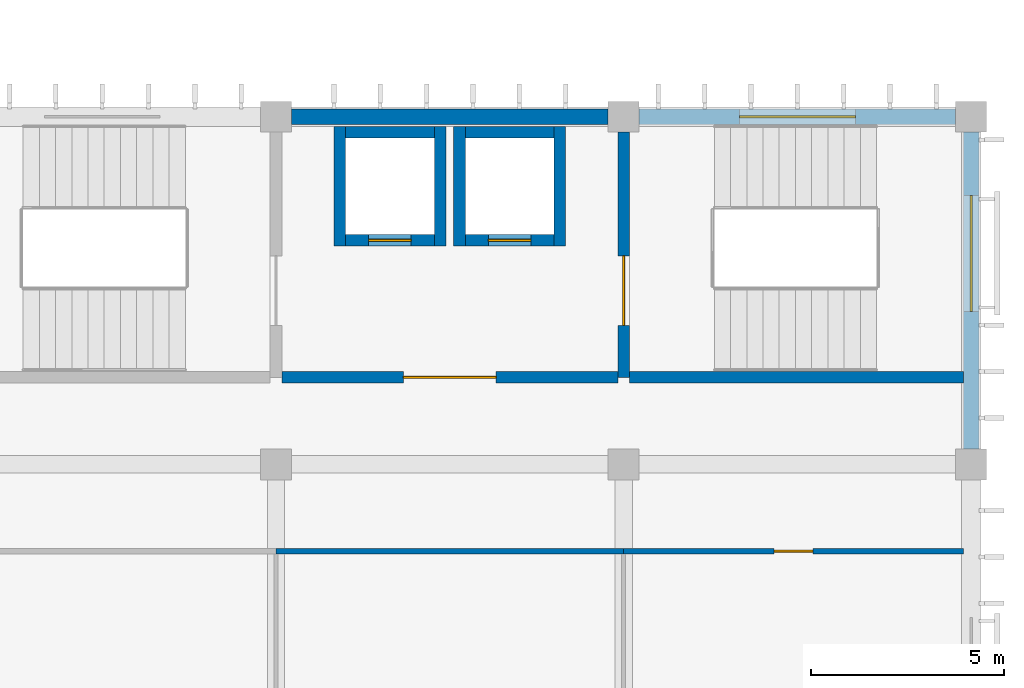
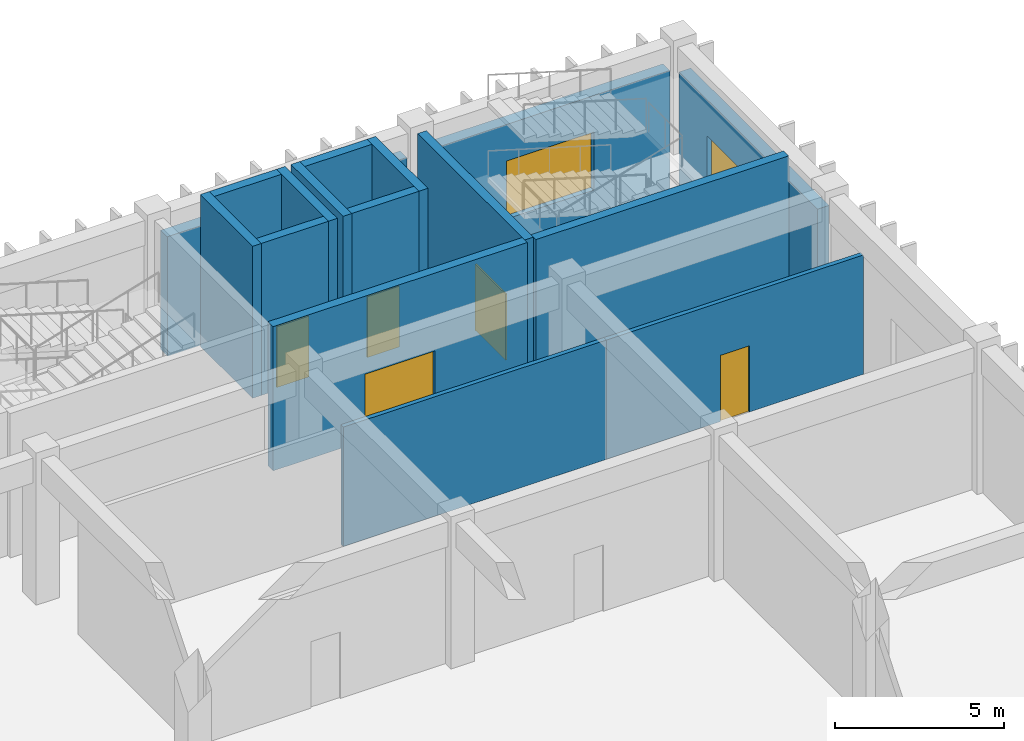
# One storey, part 128 of 185: 16 walls, 5 doors, 2 windows, 7 openings.
"""IFC4 building model written with IfcOpenShell, lengths in metres."""

import ifcopenshell
import ifcopenshell.guid

model = None  # the IFC model being written
_history = None  # IfcOwnerHistory: only IFC2X3 demands one
_inside = {}  # id of a spatial element -> (the spatial element, [elements in it])
_under = {}  # id of a project, library or spatial element -> (it, [spatial elements below it])
_declared = {}  # id of a project -> (the project, [libraries it declares])
_typed = {}  # id of a type object -> (the type object, [elements of that type])
_made_of = {}  # id of a material, layer set ... -> (it, [elements and type objects made of it])


def new_model(schema):
    """Start an empty IFC model of exactly this schema.

    Asked for "IFC4X3", IfcOpenShell would pick the latest addendum, in which some entities
    have other attributes; the version numbers below select the first issue.
    IFC2X3 requires an IfcOwnerHistory on every rooted entity: one is made here for all.
    """
    global model, _history
    if schema == "IFC4X3":
        model = ifcopenshell.file(schema_version=(4, 3, 0, 0))
    else:
        model = ifcopenshell.file(schema=schema)
    _inside.clear()
    _under.clear()
    _declared.clear()
    _typed.clear()
    _made_of.clear()
    _history = None
    if model.schema == "IFC2X3":
        org = make("IfcOrganization", Name="unknown")
        user = make(
            "IfcPersonAndOrganization",
            ThePerson=make("IfcPerson", FamilyName="unknown"),
            TheOrganization=org,
        )
        app = make(
            "IfcApplication",
            ApplicationDeveloper=org,
            Version="unknown",
            ApplicationFullName="unknown",
            ApplicationIdentifier="unknown",
        )
        _history = make(
            "IfcOwnerHistory",
            OwningUser=user,
            OwningApplication=app,
            ChangeAction="ADDED",
            CreationDate=0,
        )
    return model


def make(cls, **values):
    """One entity of the class cls with the attributes given. An attribute that is None is left unset."""
    return model.create_entity(
        cls, **{name: value for name, value in values.items() if value is not None}
    )


def rooted(cls, **values):
    """An entity with a GlobalId (a new one), such as an element, a storey or a relation."""
    return make(cls, GlobalId=ifcopenshell.guid.new(), OwnerHistory=_history, **values)


def si_unit(unit_type, name, prefix=None):
    """IfcSIUnit, for example si_unit("LENGTHUNIT", "METRE", prefix="MILLI")."""
    return make("IfcSIUnit", UnitType=unit_type, Prefix=prefix, Name=name)


def assignment(units):
    """IfcUnitAssignment: the units of a project."""
    return None if units is None else make("IfcUnitAssignment", Units=units)


def point(xyz):
    """IfcCartesianPoint."""
    return None if xyz is None else make("IfcCartesianPoint", Coordinates=xyz)


def direction(xyz):
    """IfcDirection."""
    return None if xyz is None else make("IfcDirection", DirectionRatios=xyz)


def frame(location, z_axis=None, x_axis=None):
    """IfcAxis2Placement3D, a coordinate frame: its origin and axes. An axis left out is left unset."""
    return make(
        "IfcAxis2Placement3D",
        Location=point(location),
        Axis=direction(z_axis),
        RefDirection=direction(x_axis),
    )


def frame_2d(location, x_axis=None):
    """IfcAxis2Placement2D, a coordinate frame in the plane: its origin and x axis."""
    return make(
        "IfcAxis2Placement2D", Location=point(location), RefDirection=direction(x_axis)
    )


def origin():
    """The frame at (0, 0, 0) with its axes left unset."""
    return frame((0.0, 0.0, 0.0))


def place(relative_to, where):
    """IfcLocalPlacement: puts the frame where relative to a parent placement (None: the world)."""
    return make(
        "IfcLocalPlacement", PlacementRelTo=relative_to, RelativePlacement=where
    )


def context(
    kind, dimensions, precision=None, world=None, true_north=None, identifier=None
):
    """IfcGeometricRepresentationContext, for example the 3D "Model" context."""
    return make(
        "IfcGeometricRepresentationContext",
        ContextIdentifier=identifier,
        ContextType=kind,
        CoordinateSpaceDimension=dimensions,
        Precision=precision,
        WorldCoordinateSystem=world,
        TrueNorth=true_north,
    )


def subcontext(parent, identifier, kind, view, scale=None):
    """IfcGeometricRepresentationSubContext, for example "Body" below "Model"."""
    return make(
        "IfcGeometricRepresentationSubContext",
        ContextIdentifier=identifier,
        ContextType=kind,
        ParentContext=parent,
        TargetScale=scale,
        TargetView=view,
    )


def project(units=None, contexts=None):
    """IfcProject with its units and contexts."""
    return rooted(
        "IfcProject",
        Name="project",
        RepresentationContexts=contexts,
        UnitsInContext=assignment(units),
    )


def spatial(cls, under=None, at=None, **own):
    """A site, building, storey or space (cls), placed at a placement, below another one or the project."""
    s = rooted(cls, ObjectPlacement=at, **own)
    if under is not None:
        _under.setdefault(under.id(), (under, []))[1].append(s)
    return s


def profile(cls, at=None, kind="AREA", **sizes):
    """A parametric profile (cls). Its sizes go by their IFC names, for example OverallWidth=200.0."""
    return make(cls, ProfileType=kind, Position=at, **sizes)


def rectangle(**sizes):
    """IfcRectangleProfileDef."""
    return profile("IfcRectangleProfileDef", **sizes)


def extrude(swept, where, along, depth):
    """IfcExtrudedAreaSolid: the profile swept, set in the frame where, extruded along a direction by depth."""
    return make(
        "IfcExtrudedAreaSolid",
        SweptArea=swept,
        Position=where,
        ExtrudedDirection=direction(along),
        Depth=depth,
    )


def shape(context_of_items, identifier, shape_type, items):
    """IfcShapeRepresentation: the items that make up one representation, for example the "Body"."""
    return make(
        "IfcShapeRepresentation",
        ContextOfItems=context_of_items,
        RepresentationIdentifier=identifier,
        RepresentationType=shape_type,
        Items=items,
    )


def material(Name=None, Category=None):
    """IfcMaterial."""
    return make("IfcMaterial", Name=Name, Category=Category)


def layer(
    of_material, thickness, ventilated=None, Name=None, Category=None, Priority=None
):
    """IfcMaterialLayer: one layer of a wall or slab, of a material (None: an air gap)."""
    return make(
        "IfcMaterialLayer",
        Material=of_material,
        LayerThickness=thickness,
        IsVentilated=ventilated,
        Name=Name,
        Category=Category,
        Priority=Priority,
    )


def layer_set(layers, Name=None):
    """IfcMaterialLayerSet."""
    return make("IfcMaterialLayerSet", MaterialLayers=layers, LayerSetName=Name)


def made_of(thing, what):
    """Note that an element or type object is made of a material, layer set ...; save() writes the relation."""
    if what is not None:
        _made_of.setdefault(what.id(), (what, []))[1].append(thing)
    return thing


def type_object(cls, material=None, **own):
    """A type object (cls), such as IfcWallType, which elements share."""
    return made_of(rooted(cls, **own), material)


def element(
    cls,
    number,
    at=None,
    inside=None,
    cuts=None,
    type_object=None,
    material=None,
    context=None,
    identifier="Body",
    shape_type=None,
    held_by="IfcProductDefinitionShape",
    body=None,
    shapes=None,
    **own,
):
    """One element of the class cls, such as IfcWall. Its Tag is "e" and its number.

    at: its placement. inside: the storey or other place that contains it. cuts: it is an
    opening in that element (IfcRelVoidsElement). A single representation is given by context,
    identifier, shape_type and body (its items); several are given by shapes. held_by: the class
    of the entity that holds the representations. save() writes the other relations.
    """
    e = rooted(cls, Tag="e%d" % number, ObjectPlacement=at, **own)
    if body is not None:
        shapes = [shape(context, identifier, shape_type, body)]
    if shapes is not None:
        e.Representation = make(held_by, Representations=shapes)
    if inside is not None:
        _inside.setdefault(inside.id(), (inside, []))[1].append(e)
    if cuts is not None:
        rooted(
            "IfcRelVoidsElement", RelatingBuildingElement=cuts, RelatedOpeningElement=e
        )
    if type_object is not None:
        _typed.setdefault(type_object.id(), (type_object, []))[1].append(e)
    return made_of(e, material)


def fill(opening, filler):
    """IfcRelFillsElement: the door or window that sits in an opening."""
    return rooted(
        "IfcRelFillsElement",
        RelatingOpeningElement=opening,
        RelatedBuildingElement=filler,
    )


def aggregate(whole, parts):
    """IfcRelAggregates: a whole, such as a stair, and the parts it consists of."""
    return rooted("IfcRelAggregates", RelatingObject=whole, RelatedObjects=parts)


def save(model, path):
    """Write the relations noted so far, then the file.

    IfcRelAggregates (storeys below a building ...), IfcRelContainedInSpatialStructure (elements
    in a storey), IfcRelDefinesByType, IfcRelAssociatesMaterial and IfcRelDeclares: one each for
    every whole, place, type object, material and project.
    """
    for whole, parts in _under.values():
        aggregate(whole, parts)
    for where, things in _inside.values():
        rooted(
            "IfcRelContainedInSpatialStructure",
            RelatedElements=things,
            RelatingStructure=where,
        )
    for kind, things in _typed.values():
        rooted("IfcRelDefinesByType", RelatedObjects=things, RelatingType=kind)
    for what, things in _made_of.values():
        rooted("IfcRelAssociatesMaterial", RelatedObjects=things, RelatingMaterial=what)
    for by, libraries in _declared.values():
        rooted("IfcRelDeclares", RelatingContext=by, RelatedDefinitions=libraries)
    model.write(path)


model = new_model("IFC4")

# Units and contexts
model_context = context("Model", 3, precision=1e-05, world=origin(), true_north=direction((0.0, 1.0)))
body_context = subcontext(model_context, "Body", "Model", "MODEL_VIEW")
ifc_project = project(units=[si_unit("LENGTHUNIT", "METRE"), si_unit("AREAUNIT", "SQUARE_METRE"), si_unit("VOLUMEUNIT", "CUBIC_METRE"), si_unit("PLANEANGLEUNIT", "RADIAN"), si_unit("MASSUNIT", "GRAM", prefix="KILO")], contexts=[model_context])

# Site, building, storey
site_placement = place(None, origin())
site = spatial("IfcSite", under=ifc_project, at=site_placement, CompositionType="ELEMENT")
building_placement = place(site_placement, origin())
building = spatial("IfcBuilding", under=site, at=building_placement, Name="Opaline Strait Convention Centre", CompositionType="ELEMENT")
storey_placement = place(building_placement, frame((0.0, 0.0, 6.0)))
storey = spatial("IfcBuildingStorey", under=building, at=storey_placement, Name="L01", CompositionType="ELEMENT", Elevation=6.0)

# Wall
ifc_material_1 = material(Name="Gypsum board")
ifc_layer_1 = layer(ifc_material_1, 0.032470703125)
ifc_material_2 = material(Name="Steel stud and mineral wool", Category="steel")
ifc_layer_2 = layer(ifc_material_2, 0.0849609375)
ifc_layer_3 = layer(ifc_material_1, 0.032470703125)
ifc_layer_set_1 = layer_set([ifc_layer_1, ifc_layer_2, ifc_layer_3], Name="Gypsum board, Steel stud and mineral wool, Gypsum board")
wall_type_1 = type_object("IfcWallType", Name="Corridor partition 150 EI60", PredefinedType="PARTITIONING", material=ifc_layer_set_1)
wall_1_placement = place(storey_placement, frame((342.0, 168.75, 0.0), z_axis=(0.0, 0.0, 1.0), x_axis=(1.0, 0.0, 0.0)))
element("IfcWall", 1, at=wall_1_placement, inside=storey, type_object=wall_type_1, Name="MPW1 partition Nursing Room 1.22 N", PredefinedType="PARTITIONING", context=body_context, shape_type="SweptSolid", body=[
    extrude(rectangle(XDim=9.0, YDim=0.14990234375, at=frame_2d((4.5, 0.0))), origin(), (0.0, 0.0, 1.0), 4.320068359375),
])

# Wall, opening, door
wall_2_placement = place(storey_placement, frame((351.0, 168.75, 0.0), z_axis=(0.0, 0.0, 1.0), x_axis=(1.0, 0.0, 0.0)))
wall_2 = element("IfcWall", 2, at=wall_2_placement, inside=storey, type_object=wall_type_1, Name="MPW1 partition Breakout Room 1.27 N", PredefinedType="PARTITIONING", context=body_context, shape_type="SweptSolid", body=[
    extrude(rectangle(XDim=8.800048828125, YDim=0.14990234375, at=frame_2d((4.39990234375, 0.0))), origin(), (0.0, 0.0, 1.0), 4.320068359375),
])
opening_1_placement = place(wall_2_placement, frame((3.900146484375, 0.0, 0.0)))
opening_1 = element("IfcOpeningElement", 3, at=opening_1_placement, cuts=wall_2, Name="Opening M1-047", PredefinedType="OPENING", context=body_context, shape_type="SweptSolid", body=[
    extrude(rectangle(XDim=1.0, YDim=2.39990234375, at=frame_2d((0.5, 1.199951171875))), frame((0.0, 0.0849609375, 0.0), z_axis=(0.0, -1.0, 0.0), x_axis=(1.0, 0.0, 0.0)), (0.0, 0.0, 1.0), 0.169921875),
])
ifc_material_3 = material(Name="Solid-core timber leaf, steel frame door set", Category="steel")
door_type_1 = type_object("IfcDoorType", Name="Meeting room door FD30 1000 x 2400", OperationType="SINGLE_SWING_LEFT", PredefinedType="DOOR", material=ifc_material_3)
door_1_placement = place(opening_1_placement, origin())
door_1 = element("IfcDoor", 4, at=door_1_placement, inside=storey, type_object=door_type_1, Name="Door Breakout Room 1.27", ObjectType="MD8", OperationType="SINGLE_SWING_RIGHT", OverallHeight=2.39990234375, OverallWidth=1.0, PredefinedType="DOOR", context=body_context, shape_type="SweptSolid", body=[
    extrude(rectangle(XDim=1.0, YDim=2.39990234375, at=frame_2d((0.5, 1.199951171875))), frame((0.0, 0.02490234375, 0.0), z_axis=(0.0, -1.0, 0.0), x_axis=(1.0, 0.0, 0.0)), (0.0, 0.0, 1.0), 0.050048828125),
])
fill(opening_1, door_1)

# Wall
ifc_material_4 = material(Name="Concrete C40 precast", Category="concrete")
ifc_layer_4 = layer(ifc_material_4, 0.10009765625)
ifc_material_5 = material(Name="Mineral wool insulation")
ifc_layer_5 = layer(ifc_material_5, 0.14990234375)
ifc_layer_6 = layer(ifc_material_4, 0.14990234375)
ifc_layer_set_2 = layer_set([ifc_layer_4, ifc_layer_5, ifc_layer_6], Name="Concrete C40 precast, Mineral wool insulation, Concrete C40 precast")
wall_type_2 = type_object("IfcWallType", Name="External wall 400 insulated precast EI60", PredefinedType="STANDARD", material=ifc_layer_set_2)
wall_3_placement = place(storey_placement, frame((342.39990234375, 180.0, 0.0), z_axis=(0.0, 0.0, 1.0), x_axis=(1.0, 0.0, 0.0)))
element("IfcWall", 5, at=wall_3_placement, inside=storey, type_object=wall_type_2, Name="External wall N L01 39/W", PredefinedType="STANDARD", context=body_context, shape_type="SweptSolid", body=[
    extrude(rectangle(XDim=8.2001953125, YDim=0.39990234375, at=frame_2d((4.10009765625, 0.0))), origin(), (0.0, 0.0, 1.0), 4.320068359375),
])

# Wall, opening, window
wall_4_placement = place(storey_placement, frame((351.39990234375, 180.0, 0.0), z_axis=(0.0, 0.0, 1.0), x_axis=(1.0, 0.0, 0.0)))
wall_4 = element("IfcWall", 6, at=wall_4_placement, inside=storey, type_object=wall_type_2, Name="External wall N L01 40/W", PredefinedType="STANDARD", context=body_context, shape_type="SweptSolid", body=[
    extrude(rectangle(XDim=8.2001953125, YDim=0.39990234375, at=frame_2d((4.10009765625, 0.0))), origin(), (0.0, 0.0, 1.0), 4.320068359375),
])
opening_2_placement = place(wall_4_placement, frame((2.60009765625, 0.0, 0.89990234375)))
opening_2 = element("IfcOpeningElement", 7, at=opening_2_placement, cuts=wall_4, Name="Opening MW2", PredefinedType="OPENING", context=body_context, shape_type="SweptSolid", body=[
    extrude(rectangle(XDim=3.0, YDim=2.10009765625, at=frame_2d((1.5, 1.050048828125))), frame((0.0, 0.2099609375, 0.0), z_axis=(0.0, -1.0, 0.0), x_axis=(1.0, 0.0, 0.0)), (0.0, 0.0, 1.0), 0.419921875),
])
ifc_material_6 = material(Name="Aluminium framed double glazing", Category="aluminium")
window_type = type_object("IfcWindowType", Name="Window 3000 x 2100", PartitioningType="TRIPLE_PANEL_VERTICAL", PredefinedType="WINDOW", material=ifc_material_6)
window_1_placement = place(opening_2_placement, origin())
window_1 = element("IfcWindow", 8, at=window_1_placement, inside=storey, type_object=window_type, Name="Window Escape Stair S7 N", OverallHeight=2.10009765625, OverallWidth=3.0, PartitioningType="TRIPLE_PANEL_VERTICAL", PredefinedType="WINDOW", context=body_context, shape_type="SweptSolid", body=[
    extrude(rectangle(XDim=3.0, YDim=2.10009765625, at=frame_2d((1.5, 1.050048828125))), frame((0.0, 0.030029296875, 0.0), z_axis=(0.0, -1.0, 0.0), x_axis=(1.0, 0.0, 0.0)), (0.0, 0.0, 1.0), 0.06005859375),
])
fill(opening_2, window_1)

wall_5_placement = place(storey_placement, frame((360.0, 171.39990234375, 0.0), z_axis=(0.0, 0.0, 1.0), x_axis=(0.0, 1.0, 0.0)))
wall_5 = element("IfcWall", 9, at=wall_5_placement, inside=storey, type_object=wall_type_2, Name="External wall E L01 41/V", PredefinedType="STANDARD", context=body_context, shape_type="SweptSolid", body=[
    extrude(rectangle(XDim=8.2001953125, YDim=0.39990234375, at=frame_2d((4.10009765625, 0.0))), origin(), (0.0, 0.0, 1.0), 4.320068359375),
])
opening_3_placement = place(wall_5_placement, frame((3.5625, 0.0, 0.89990234375)))
opening_3 = element("IfcOpeningElement", 10, at=opening_3_placement, cuts=wall_5, Name="Opening MW2", PredefinedType="OPENING", context=body_context, shape_type="SweptSolid", body=[
    extrude(rectangle(XDim=3.0, YDim=2.10009765625, at=frame_2d((1.5, 1.050048828125))), frame((0.0, 0.2099609375, 0.0), z_axis=(0.0, -1.0, 0.0), x_axis=(1.0, 0.0, 0.0)), (0.0, 0.0, 1.0), 0.419921875),
])
window_2_placement = place(opening_3_placement, origin())
window_2 = element("IfcWindow", 11, at=window_2_placement, inside=storey, type_object=window_type, Name="Window Escape Stair S7 E", OverallHeight=2.10009765625, OverallWidth=3.0, PartitioningType="TRIPLE_PANEL_VERTICAL", PredefinedType="WINDOW", context=body_context, shape_type="SweptSolid", body=[
    extrude(rectangle(XDim=3.0, YDim=2.10009765625, at=frame_2d((1.5, 1.050048828125))), frame((0.0, 0.030029296875, 0.0), z_axis=(0.0, -1.0, 0.0), x_axis=(1.0, 0.0, 0.0)), (0.0, 0.0, 1.0), 0.06005859375),
])
fill(opening_3, window_2)

# Wall, opening, door
ifc_material_7 = material(Name="Concrete C40", Category="concrete")
ifc_layer_7 = layer(ifc_material_7, 0.300048828125)
ifc_layer_set_3 = layer_set([ifc_layer_7], Name="Concrete C40")
wall_type_3 = type_object("IfcWallType", Name="RC core wall 300 C40", PredefinedType="SHEAR", material=ifc_layer_set_3)
wall_6_placement = place(storey_placement, frame((351.0, 173.25, 0.0), z_axis=(0.0, 0.0, 1.0), x_axis=(0.0, 1.0, 0.0)))
wall_6 = element("IfcWall", 12, at=wall_6_placement, inside=storey, type_object=wall_type_3, Name="Core wall NE-L01", PredefinedType="SHEAR", context=body_context, shape_type="SweptSolid", body=[
    extrude(rectangle(XDim=6.35009765625, YDim=0.300048828125, at=frame_2d((3.175048828125, 0.0))), origin(), (0.0, 0.0, 1.0), 5.219970703125),
])
opening_4_placement = place(wall_6_placement, frame((1.35009765625, 0.0, 0.0)))
opening_4 = element("IfcOpeningElement", 13, at=opening_4_placement, cuts=wall_6, Name="Opening M1-016", PredefinedType="OPENING", context=body_context, shape_type="SweptSolid", body=[
    extrude(rectangle(XDim=1.800048828125, YDim=2.39990234375, at=frame_2d((0.89990234375, 1.199951171875))), frame((0.0, 0.159912109375, 0.0), z_axis=(0.0, -1.0, 0.0), x_axis=(1.0, 0.0, 0.0)), (0.0, 0.0, 1.0), 0.320068359375),
])
ifc_material_8 = material(Name="Steel Q235B", Category="steel")
door_type_2 = type_object("IfcDoorType", Name="Stair door FD60 1800 x 2400", OperationType="DOUBLE_DOOR_SINGLE_SWING", PredefinedType="DOOR", material=ifc_material_8)
door_2_placement = place(opening_4_placement, origin())
door_2 = element("IfcDoor", 14, at=door_2_placement, inside=storey, type_object=door_type_2, Name="Escape stair S7 door L01", ObjectType="MD4", OperationType="DOUBLE_DOOR_SINGLE_SWING", OverallHeight=2.39990234375, OverallWidth=1.800048828125, PredefinedType="DOOR", context=body_context, shape_type="SweptSolid", body=[
    extrude(rectangle(XDim=1.800048828125, YDim=2.39990234375, at=frame_2d((0.89990234375, 1.199951171875))), frame((0.0, 0.02490234375, 0.0), z_axis=(0.0, -1.0, 0.0), x_axis=(1.0, 0.0, 0.0)), (0.0, 0.0, 1.0), 0.050048828125),
])
fill(opening_4, door_2)

wall_7_placement = place(storey_placement, frame((342.14990234375, 173.25, 0.0), z_axis=(0.0, 0.0, 1.0), x_axis=(1.0, 0.0, 0.0)))
wall_7 = element("IfcWall", 15, at=wall_7_placement, inside=storey, type_object=wall_type_3, Name="Core wall NE-L01", PredefinedType="SHEAR", context=body_context, shape_type="SweptSolid", body=[
    extrude(rectangle(XDim=8.7001953125, YDim=0.300048828125, at=frame_2d((4.35009765625, 0.0))), origin(), (0.0, 0.0, 1.0), 5.219970703125),
])
opening_5_placement = place(wall_7_placement, frame((3.150146484375, 0.0, 0.0)))
opening_5 = element("IfcOpeningElement", 16, at=opening_5_placement, cuts=wall_7, Name="Opening M1-018", PredefinedType="OPENING", context=body_context, shape_type="SweptSolid", body=[
    extrude(rectangle(XDim=2.39990234375, YDim=2.39990234375, at=frame_2d((1.199951171875, 1.199951171875))), frame((0.0, 0.159912109375, 0.0), z_axis=(0.0, -1.0, 0.0), x_axis=(1.0, 0.0, 0.0)), (0.0, 0.0, 1.0), 0.320068359375),
])
door_type_3 = type_object("IfcDoorType", Name="Lift lobby double door FD60 2400 x 2400", OperationType="DOUBLE_DOOR_SINGLE_SWING", PredefinedType="DOOR", material=ifc_material_8)
door_3_placement = place(opening_5_placement, frame((2.39990234375, 0.0, 0.0), z_axis=(0.0, 0.0, 1.0), x_axis=(-1.0, 0.0, 0.0)))
door_3 = element("IfcDoor", 17, at=door_3_placement, inside=storey, type_object=door_type_3, Name="Lift lobby NE door L01", ObjectType="MD5", OperationType="DOUBLE_DOOR_SINGLE_SWING", OverallHeight=2.39990234375, OverallWidth=2.39990234375, PredefinedType="DOOR", context=body_context, shape_type="SweptSolid", body=[
    extrude(rectangle(XDim=2.39990234375, YDim=2.39990234375, at=frame_2d((1.199951171875, 1.199951171875))), frame((0.0, 0.02490234375, 0.0), z_axis=(0.0, -1.0, 0.0), x_axis=(1.0, 0.0, 0.0)), (0.0, 0.0, 1.0), 0.050048828125),
])
fill(opening_5, door_3)

# Walls
wall_8_placement = place(storey_placement, frame((351.14990234375, 173.25, 0.0), z_axis=(0.0, 0.0, 1.0), x_axis=(1.0, 0.0, 0.0)))
element("IfcWall", 18, at=wall_8_placement, inside=storey, type_object=wall_type_3, Name="Core wall NE-L01", PredefinedType="SHEAR", context=body_context, shape_type="SweptSolid", body=[
    extrude(rectangle(XDim=8.650146484375, YDim=0.300048828125, at=frame_2d((4.3251953125, 0.0))), origin(), (0.0, 0.0, 1.0), 5.219970703125),
])
ifc_layer_8 = layer(ifc_material_7, 0.300048828125)
ifc_layer_set_4 = layer_set([ifc_layer_8], Name="Concrete C40")
wall_type_4 = type_object("IfcWallType", Name="RC lift shaft wall 300 C40", PredefinedType="SHEAR", material=ifc_layer_set_4)
for number, where, z_axis, x_axis, name in (
    (19, (349.35009765625, 176.64990234375, 0.0), (0.0, 0.0, 1.0), (0.0, 1.0, 0.0), "Lift shaft NE1 wall L01"),
    (20, (346.75, 176.64990234375, 0.0), (0.0, 0.0, 1.0), (0.0, 1.0, 0.0), "Lift shaft NE1 wall L01"),
):
    element("IfcWall", number, at=place(storey_placement, frame(where, z_axis=z_axis, x_axis=x_axis)), inside=storey, type_object=wall_type_4, Name=name, PredefinedType="SHEAR", context=body_context, shape_type="SweptSolid", body=[
        extrude(rectangle(XDim=3.10009765625, YDim=0.300048828125, at=frame_2d((1.550048828125, 0.0))), origin(), (0.0, 0.0, 1.0), 5.5),
    ])
wall_9_placement = place(storey_placement, frame((346.89990234375, 179.60009765625, 0.0), z_axis=(0.0, 0.0, 1.0), x_axis=(1.0, 0.0, 0.0)))
element("IfcWall", 21, at=wall_9_placement, inside=storey, type_object=wall_type_4, Name="Lift shaft NE1 wall L01", PredefinedType="SHEAR", context=body_context, shape_type="SweptSolid", body=[
    extrude(rectangle(XDim=2.300048828125, YDim=0.300048828125, at=frame_2d((1.14990234375, 0.0))), origin(), (0.0, 0.0, 1.0), 5.5),
])

# Wall, opening, door
wall_10_placement = place(storey_placement, frame((346.89990234375, 176.800048828125, 0.0), z_axis=(0.0, 0.0, 1.0), x_axis=(1.0, 0.0, 0.0)))
wall_10 = element("IfcWall", 22, at=wall_10_placement, inside=storey, type_object=wall_type_4, Name="Lift shaft NE1 wall L01", PredefinedType="SHEAR", context=body_context, shape_type="SweptSolid", body=[
    extrude(rectangle(XDim=2.300048828125, YDim=0.300048828125, at=frame_2d((1.14990234375, 0.0))), origin(), (0.0, 0.0, 1.0), 5.5),
])
opening_6_placement = place(wall_10_placement, frame((0.60009765625, 0.0, 0.0)))
opening_6 = element("IfcOpeningElement", 23, at=opening_6_placement, cuts=wall_10, Name="Opening M1-019", PredefinedType="OPENING", context=body_context, shape_type="SweptSolid", body=[
    extrude(rectangle(XDim=1.10009765625, YDim=2.199951171875, at=frame_2d((0.550048828125, 1.10009765625))), frame((0.0, 0.159912109375, 0.0), z_axis=(0.0, -1.0, 0.0), x_axis=(1.0, 0.0, 0.0)), (0.0, 0.0, 1.0), 0.320068359375),
])
ifc_material_9 = material(Name="Stainless steel 304", Category="steel")
door_type_4 = type_object("IfcDoorType", Name="Lift landing door FD60 1100 x 2200", OperationType="SLIDING_TO_LEFT", PredefinedType="DOOR", material=ifc_material_9)
door_4_placement = place(opening_6_placement, origin())
door_4 = element("IfcDoor", 24, at=door_4_placement, inside=storey, type_object=door_type_4, Name="Lift landing door NE1 L01", ObjectType="MD6", OperationType="SLIDING_TO_LEFT", OverallHeight=2.199951171875, OverallWidth=1.10009765625, PredefinedType="DOOR", context=body_context, shape_type="SweptSolid", body=[
    extrude(rectangle(XDim=1.10009765625, YDim=2.199951171875, at=frame_2d((0.550048828125, 1.10009765625))), frame((0.0, 0.02490234375, 0.0), z_axis=(0.0, -1.0, 0.0), x_axis=(1.0, 0.0, 0.0)), (0.0, 0.0, 1.0), 0.050048828125),
])
fill(opening_6, door_4)

# Walls
for number, where, z_axis, x_axis, name in (
    (25, (346.25, 176.64990234375, 0.0), (0.0, 0.0, 1.0), (0.0, 1.0, 0.0), "Lift shaft NE2 wall L01"),
    (26, (343.64990234375, 176.64990234375, 0.0), (0.0, 0.0, 1.0), (0.0, 1.0, 0.0), "Lift shaft NE2 wall L01"),
):
    element("IfcWall", number, at=place(storey_placement, frame(where, z_axis=z_axis, x_axis=x_axis)), inside=storey, type_object=wall_type_4, Name=name, PredefinedType="SHEAR", context=body_context, shape_type="SweptSolid", body=[
        extrude(rectangle(XDim=3.10009765625, YDim=0.300048828125, at=frame_2d((1.550048828125, 0.0))), origin(), (0.0, 0.0, 1.0), 5.5),
    ])
wall_11_placement = place(storey_placement, frame((343.800048828125, 179.60009765625, 0.0), z_axis=(0.0, 0.0, 1.0), x_axis=(1.0, 0.0, 0.0)))
element("IfcWall", 27, at=wall_11_placement, inside=storey, type_object=wall_type_4, Name="Lift shaft NE2 wall L01", PredefinedType="SHEAR", context=body_context, shape_type="SweptSolid", body=[
    extrude(rectangle(XDim=2.300048828125, YDim=0.300048828125, at=frame_2d((1.14990234375, 0.0))), origin(), (0.0, 0.0, 1.0), 5.5),
])

# Wall, opening, door
wall_12_placement = place(storey_placement, frame((343.800048828125, 176.800048828125, 0.0), z_axis=(0.0, 0.0, 1.0), x_axis=(1.0, 0.0, 0.0)))
wall_12 = element("IfcWall", 28, at=wall_12_placement, inside=storey, type_object=wall_type_4, Name="Lift shaft NE2 wall L01", PredefinedType="SHEAR", context=body_context, shape_type="SweptSolid", body=[
    extrude(rectangle(XDim=2.300048828125, YDim=0.300048828125, at=frame_2d((1.14990234375, 0.0))), origin(), (0.0, 0.0, 1.0), 5.5),
])
opening_7_placement = place(wall_12_placement, frame((0.599853515625, 0.0, 0.0)))
opening_7 = element("IfcOpeningElement", 29, at=opening_7_placement, cuts=wall_12, Name="Opening M1-020", PredefinedType="OPENING", context=body_context, shape_type="SweptSolid", body=[
    extrude(rectangle(XDim=1.10009765625, YDim=2.199951171875, at=frame_2d((0.550048828125, 1.10009765625))), frame((0.0, 0.159912109375, 0.0), z_axis=(0.0, -1.0, 0.0), x_axis=(1.0, 0.0, 0.0)), (0.0, 0.0, 1.0), 0.320068359375),
])
door_5_placement = place(opening_7_placement, origin())
door_5 = element("IfcDoor", 30, at=door_5_placement, inside=storey, type_object=door_type_4, Name="Lift landing door NE2 L01", ObjectType="MD6", OperationType="SLIDING_TO_RIGHT", OverallHeight=2.199951171875, OverallWidth=1.10009765625, PredefinedType="DOOR", context=body_context, shape_type="SweptSolid", body=[
    extrude(rectangle(XDim=1.10009765625, YDim=2.199951171875, at=frame_2d((0.550048828125, 1.10009765625))), frame((0.0, 0.02490234375, 0.0), z_axis=(0.0, -1.0, 0.0), x_axis=(1.0, 0.0, 0.0)), (0.0, 0.0, 1.0), 0.050048828125),
])
fill(opening_7, door_5)

save(model, "model.ifc")
